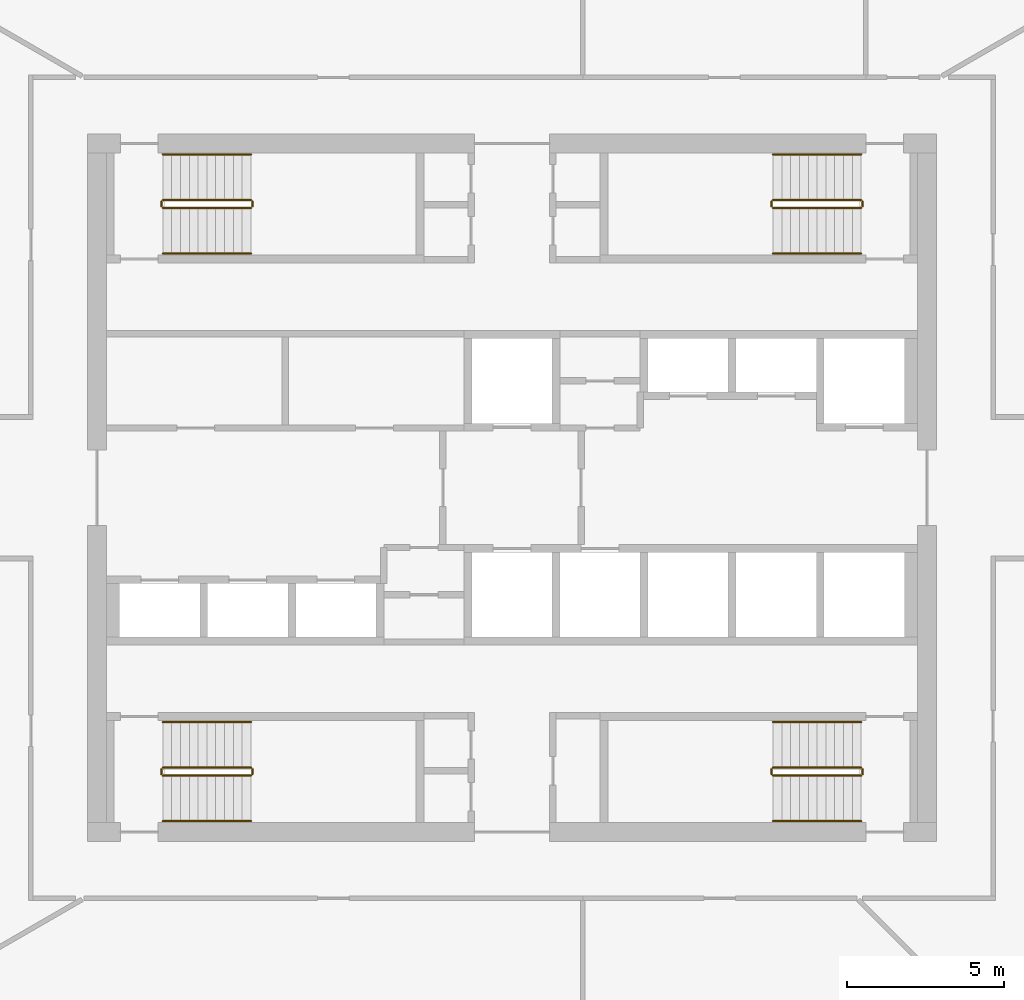
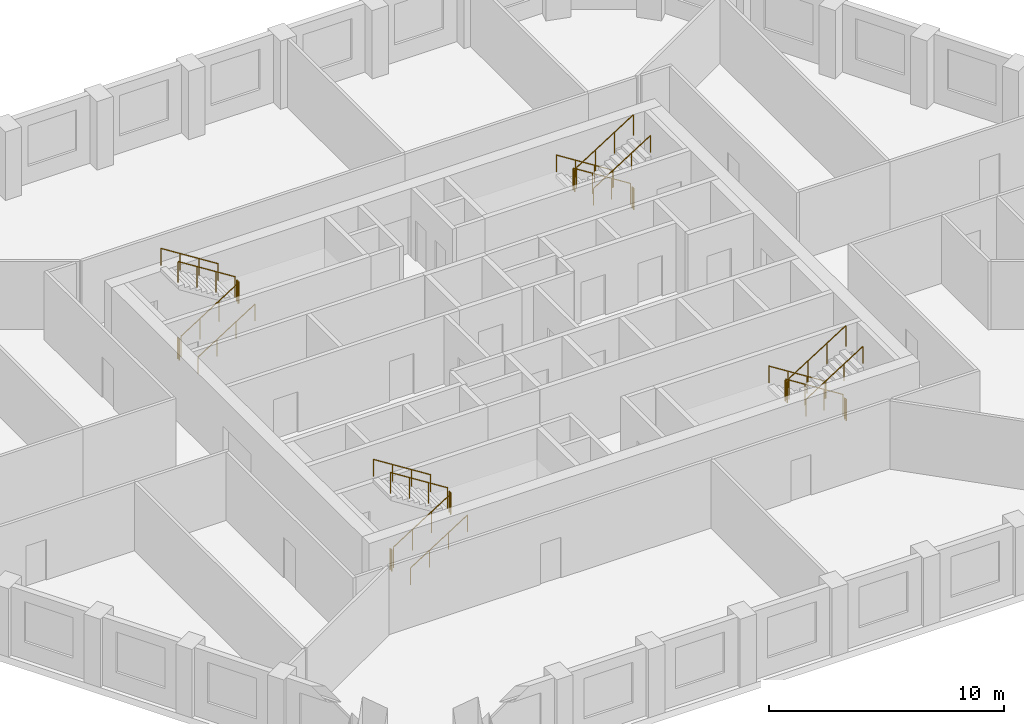
# One storey, part 8 of 8: 24 railings.
"""IFC4 building model written with IfcOpenShell, lengths in metres."""

import ifcopenshell
import ifcopenshell.guid

model = None  # the IFC model being written
_history = None  # IfcOwnerHistory: only IFC2X3 demands one
_inside = {}  # id of a spatial element -> (the spatial element, [elements in it])
_under = {}  # id of a project, library or spatial element -> (it, [spatial elements below it])
_declared = {}  # id of a project -> (the project, [libraries it declares])
_typed = {}  # id of a type object -> (the type object, [elements of that type])
_made_of = {}  # id of a material, layer set ... -> (it, [elements and type objects made of it])


def new_model(schema):
    """Start an empty IFC model of exactly this schema.

    Asked for "IFC4X3", IfcOpenShell would pick the latest addendum, in which some entities
    have other attributes; the version numbers below select the first issue.
    IFC2X3 requires an IfcOwnerHistory on every rooted entity: one is made here for all.
    """
    global model, _history
    if schema == "IFC4X3":
        model = ifcopenshell.file(schema_version=(4, 3, 0, 0))
    else:
        model = ifcopenshell.file(schema=schema)
    _inside.clear()
    _under.clear()
    _declared.clear()
    _typed.clear()
    _made_of.clear()
    _history = None
    if model.schema == "IFC2X3":
        org = make("IfcOrganization", Name="unknown")
        user = make(
            "IfcPersonAndOrganization",
            ThePerson=make("IfcPerson", FamilyName="unknown"),
            TheOrganization=org,
        )
        app = make(
            "IfcApplication",
            ApplicationDeveloper=org,
            Version="unknown",
            ApplicationFullName="unknown",
            ApplicationIdentifier="unknown",
        )
        _history = make(
            "IfcOwnerHistory",
            OwningUser=user,
            OwningApplication=app,
            ChangeAction="ADDED",
            CreationDate=0,
        )
    return model


def make(cls, **values):
    """One entity of the class cls with the attributes given. An attribute that is None is left unset."""
    return model.create_entity(
        cls, **{name: value for name, value in values.items() if value is not None}
    )


def rooted(cls, **values):
    """An entity with a GlobalId (a new one), such as an element, a storey or a relation."""
    return make(cls, GlobalId=ifcopenshell.guid.new(), OwnerHistory=_history, **values)


def si_unit(unit_type, name, prefix=None):
    """IfcSIUnit, for example si_unit("LENGTHUNIT", "METRE", prefix="MILLI")."""
    return make("IfcSIUnit", UnitType=unit_type, Prefix=prefix, Name=name)


def assignment(units):
    """IfcUnitAssignment: the units of a project."""
    return None if units is None else make("IfcUnitAssignment", Units=units)


def point(xyz):
    """IfcCartesianPoint."""
    return None if xyz is None else make("IfcCartesianPoint", Coordinates=xyz)


def direction(xyz):
    """IfcDirection."""
    return None if xyz is None else make("IfcDirection", DirectionRatios=xyz)


def frame(location, z_axis=None, x_axis=None):
    """IfcAxis2Placement3D, a coordinate frame: its origin and axes. An axis left out is left unset."""
    return make(
        "IfcAxis2Placement3D",
        Location=point(location),
        Axis=direction(z_axis),
        RefDirection=direction(x_axis),
    )


def frame_2d(location, x_axis=None):
    """IfcAxis2Placement2D, a coordinate frame in the plane: its origin and x axis."""
    return make(
        "IfcAxis2Placement2D", Location=point(location), RefDirection=direction(x_axis)
    )


def origin():
    """The frame at (0, 0, 0) with its axes left unset."""
    return frame((0.0, 0.0, 0.0))


def origin_2d():
    """The frame at (0, 0) in the plane with its x axis left unset."""
    return frame_2d((0.0, 0.0))


def place(relative_to, where):
    """IfcLocalPlacement: puts the frame where relative to a parent placement (None: the world)."""
    return make(
        "IfcLocalPlacement", PlacementRelTo=relative_to, RelativePlacement=where
    )


def context(
    kind, dimensions, precision=None, world=None, true_north=None, identifier=None
):
    """IfcGeometricRepresentationContext, for example the 3D "Model" context."""
    return make(
        "IfcGeometricRepresentationContext",
        ContextIdentifier=identifier,
        ContextType=kind,
        CoordinateSpaceDimension=dimensions,
        Precision=precision,
        WorldCoordinateSystem=world,
        TrueNorth=true_north,
    )


def subcontext(parent, identifier, kind, view, scale=None):
    """IfcGeometricRepresentationSubContext, for example "Body" below "Model"."""
    return make(
        "IfcGeometricRepresentationSubContext",
        ContextIdentifier=identifier,
        ContextType=kind,
        ParentContext=parent,
        TargetScale=scale,
        TargetView=view,
    )


def project(units=None, contexts=None):
    """IfcProject with its units and contexts."""
    return rooted(
        "IfcProject",
        Name="project",
        RepresentationContexts=contexts,
        UnitsInContext=assignment(units),
    )


def spatial(cls, under=None, at=None, **own):
    """A site, building, storey or space (cls), placed at a placement, below another one or the project."""
    s = rooted(cls, ObjectPlacement=at, **own)
    if under is not None:
        _under.setdefault(under.id(), (under, []))[1].append(s)
    return s


def profile(cls, at=None, kind="AREA", **sizes):
    """A parametric profile (cls). Its sizes go by their IFC names, for example OverallWidth=200.0."""
    return make(cls, ProfileType=kind, Position=at, **sizes)


def circle(**sizes):
    """IfcCircleProfileDef."""
    return profile("IfcCircleProfileDef", **sizes)


def extrude(swept, where, along, depth):
    """IfcExtrudedAreaSolid: the profile swept, set in the frame where, extruded along a direction by depth."""
    return make(
        "IfcExtrudedAreaSolid",
        SweptArea=swept,
        Position=where,
        ExtrudedDirection=direction(along),
        Depth=depth,
    )


def shape(context_of_items, identifier, shape_type, items):
    """IfcShapeRepresentation: the items that make up one representation, for example the "Body"."""
    return make(
        "IfcShapeRepresentation",
        ContextOfItems=context_of_items,
        RepresentationIdentifier=identifier,
        RepresentationType=shape_type,
        Items=items,
    )


def material(Name=None, Category=None):
    """IfcMaterial."""
    return make("IfcMaterial", Name=Name, Category=Category)


def made_of(thing, what):
    """Note that an element or type object is made of a material, layer set ...; save() writes the relation."""
    if what is not None:
        _made_of.setdefault(what.id(), (what, []))[1].append(thing)
    return thing


def type_object(cls, material=None, **own):
    """A type object (cls), such as IfcWallType, which elements share."""
    return made_of(rooted(cls, **own), material)


def element(
    cls,
    number,
    at=None,
    inside=None,
    cuts=None,
    type_object=None,
    material=None,
    context=None,
    identifier="Body",
    shape_type=None,
    held_by="IfcProductDefinitionShape",
    body=None,
    shapes=None,
    **own,
):
    """One element of the class cls, such as IfcWall. Its Tag is "e" and its number.

    at: its placement. inside: the storey or other place that contains it. cuts: it is an
    opening in that element (IfcRelVoidsElement). A single representation is given by context,
    identifier, shape_type and body (its items); several are given by shapes. held_by: the class
    of the entity that holds the representations. save() writes the other relations.
    """
    e = rooted(cls, Tag="e%d" % number, ObjectPlacement=at, **own)
    if body is not None:
        shapes = [shape(context, identifier, shape_type, body)]
    if shapes is not None:
        e.Representation = make(held_by, Representations=shapes)
    if inside is not None:
        _inside.setdefault(inside.id(), (inside, []))[1].append(e)
    if cuts is not None:
        rooted(
            "IfcRelVoidsElement", RelatingBuildingElement=cuts, RelatedOpeningElement=e
        )
    if type_object is not None:
        _typed.setdefault(type_object.id(), (type_object, []))[1].append(e)
    return made_of(e, material)


def aggregate(whole, parts):
    """IfcRelAggregates: a whole, such as a stair, and the parts it consists of."""
    return rooted("IfcRelAggregates", RelatingObject=whole, RelatedObjects=parts)


def save(model, path):
    """Write the relations noted so far, then the file.

    IfcRelAggregates (storeys below a building ...), IfcRelContainedInSpatialStructure (elements
    in a storey), IfcRelDefinesByType, IfcRelAssociatesMaterial and IfcRelDeclares: one each for
    every whole, place, type object, material and project.
    """
    for whole, parts in _under.values():
        aggregate(whole, parts)
    for where, things in _inside.values():
        rooted(
            "IfcRelContainedInSpatialStructure",
            RelatedElements=things,
            RelatingStructure=where,
        )
    for kind, things in _typed.values():
        rooted("IfcRelDefinesByType", RelatedObjects=things, RelatingType=kind)
    for what, things in _made_of.values():
        rooted("IfcRelAssociatesMaterial", RelatedObjects=things, RelatingMaterial=what)
    for by, libraries in _declared.values():
        rooted("IfcRelDeclares", RelatingContext=by, RelatedDefinitions=libraries)
    model.write(path)


model = new_model("IFC4")

# Units and contexts
model_context = context("Model", 3, precision=1e-05, world=origin(), true_north=direction((0.0, 1.0)))
body_context = subcontext(model_context, "Body", "Model", "MODEL_VIEW")
ifc_project = project(units=[si_unit("LENGTHUNIT", "METRE"), si_unit("AREAUNIT", "SQUARE_METRE"), si_unit("VOLUMEUNIT", "CUBIC_METRE"), si_unit("PLANEANGLEUNIT", "RADIAN"), si_unit("MASSUNIT", "GRAM", prefix="KILO")], contexts=[model_context])

# Site, building, storey
site_placement = place(None, origin())
site = spatial("IfcSite", under=ifc_project, at=site_placement, CompositionType="ELEMENT")
building_placement = place(site_placement, origin())
building = spatial("IfcBuilding", under=site, at=building_placement, Name="Dhurran Vertical Campus", CompositionType="ELEMENT")
storey_placement = place(building_placement, frame((0.0, 0.0, 219.0)))
storey = spatial("IfcBuildingStorey", under=building, at=storey_placement, Name="L54", CompositionType="ELEMENT", Elevation=219.0)

# Railings
ifc_material_1 = material(Name="Stainless steel balustrade", Category="steel")
railing_type_1 = type_object("IfcRailingType", Name="co-RL-GUARD-1100", PredefinedType="GUARDRAIL", material=ifc_material_1)
railing_1_placement = place(storey_placement, frame((-11.10009765625, 8.89990234375, 0.17724609375)))
element("IfcRailing", 1, at=railing_1_placement, inside=storey, type_object=railing_type_1, Name="L54 ST1 stair guard 1", PredefinedType="GUARDRAIL", context=body_context, shape_type="SweptSolid", body=[
    extrude(circle(Radius=0.02392578125, at=origin_2d()), frame((0.0, 0.0, 1.076171875), z_axis=(0.844908973607, 0.0, 0.534910110503), x_axis=(0.0, 1.0, 0.0)), (0.0, 0.0, 1.0), 3.31396484375),
    extrude(circle(Radius=0.02099609375, at=origin_2d()), origin(), (0.0, 0.0, 1.0), 1.052001953125),
    extrude(circle(Radius=0.02099609375, at=origin_2d()), frame((0.933349609375, 0.0, 0.5908203125)), (0.0, 0.0, 1.0), 1.052001953125),
    extrude(circle(Radius=0.02099609375, at=origin_2d()), frame((1.86669921875, 0.0, 1.181884765625)), (0.0, 0.0, 1.0), 1.052001953125),
    extrude(circle(Radius=0.02099609375, at=origin_2d()), frame((2.800048828125, 0.0, 1.772705078125)), (0.0, 0.0, 1.0), 1.052001953125),
])
railing_2_placement = place(storey_placement, frame((-8.25, 8.949951171875, 1.949951171875)))
element("IfcRailing", 2, at=railing_2_placement, inside=storey, type_object=railing_type_1, Name="L54 ST1 stair guard 2", PredefinedType="GUARDRAIL", context=body_context, shape_type="SweptSolid", body=[
    extrude(circle(Radius=0.02392578125, at=origin_2d()), frame((0.0, 0.0, 1.076171875), z_axis=(0.0, 1.0, 0.0), x_axis=(-1.0, 0.0, 0.0)), (0.0, 0.0, 1.0), 0.150146484375),
    extrude(circle(Radius=0.02099609375, at=origin_2d()), origin(), (0.0, 0.0, 1.0), 1.052001953125),
    extrude(circle(Radius=0.02099609375, at=origin_2d()), frame((0.0, 0.150146484375, 0.0)), (0.0, 0.0, 1.0), 1.052001953125),
])
railing_3_placement = place(storey_placement, frame((-8.300048828125, 9.14990234375, 2.127197265625)))
element("IfcRailing", 3, at=railing_3_placement, inside=storey, type_object=railing_type_1, Name="L54 ST1 stair guard 3", PredefinedType="GUARDRAIL", context=body_context, shape_type="SweptSolid", body=[
    extrude(circle(Radius=0.02392578125, at=origin_2d()), frame((0.0, 0.0, 1.076171875), z_axis=(-0.844908973607, 0.0, 0.534910110503), x_axis=(0.0, -1.0, 0.0)), (0.0, 0.0, 1.0), 3.31396484375),
    extrude(circle(Radius=0.02099609375, at=origin_2d()), origin(), (0.0, 0.0, 1.0), 1.052001953125),
    extrude(circle(Radius=0.02099609375, at=origin_2d()), frame((-0.933349609375, 0.0, 0.5908203125)), (0.0, 0.0, 1.0), 1.052001953125),
    extrude(circle(Radius=0.02099609375, at=origin_2d()), frame((-1.86669921875, 0.0, 1.181884765625)), (0.0, 0.0, 1.0), 1.052001953125),
    extrude(circle(Radius=0.02099609375, at=origin_2d()), frame((-2.800048828125, 0.0, 1.772705078125)), (0.0, 0.0, 1.0), 1.052001953125),
])
railing_4_placement = place(storey_placement, frame((-11.14990234375, 8.949951171875, 0.0)))
element("IfcRailing", 4, at=railing_4_placement, inside=storey, type_object=railing_type_1, Name="L54 ST1 stair guard 4", PredefinedType="GUARDRAIL", context=body_context, shape_type="SweptSolid", body=[
    extrude(circle(Radius=0.02392578125, at=origin_2d()), frame((0.0, 0.0, 1.076171875), z_axis=(0.0, 1.0, 0.0), x_axis=(-1.0, 0.0, 0.0)), (0.0, 0.0, 1.0), 0.150146484375),
    extrude(circle(Radius=0.02099609375, at=origin_2d()), origin(), (0.0, 0.0, 1.0), 1.052001953125),
    extrude(circle(Radius=0.02099609375, at=origin_2d()), frame((0.0, 0.150146484375, 0.0)), (0.0, 0.0, 1.0), 1.052001953125),
])
railing_5_placement = place(storey_placement, frame((11.10009765625, 9.14990234375, 0.17724609375)))
element("IfcRailing", 5, at=railing_5_placement, inside=storey, type_object=railing_type_1, Name="L54 ST2 stair guard 1", PredefinedType="GUARDRAIL", context=body_context, shape_type="SweptSolid", body=[
    extrude(circle(Radius=0.02392578125, at=origin_2d()), frame((0.0, 0.0, 1.076171875), z_axis=(-0.844908973607, 0.0, 0.534910110503), x_axis=(0.0, -1.0, 0.0)), (0.0, 0.0, 1.0), 3.31396484375),
    extrude(circle(Radius=0.02099609375, at=origin_2d()), origin(), (0.0, 0.0, 1.0), 1.052001953125),
    extrude(circle(Radius=0.02099609375, at=origin_2d()), frame((-0.933349609375, 0.0, 0.5908203125)), (0.0, 0.0, 1.0), 1.052001953125),
    extrude(circle(Radius=0.02099609375, at=origin_2d()), frame((-1.86669921875, 0.0, 1.181884765625)), (0.0, 0.0, 1.0), 1.052001953125),
    extrude(circle(Radius=0.02099609375, at=origin_2d()), frame((-2.800048828125, 0.0, 1.772705078125)), (0.0, 0.0, 1.0), 1.052001953125),
])
railing_6_placement = place(storey_placement, frame((8.25, 9.10009765625, 1.949951171875)))
element("IfcRailing", 6, at=railing_6_placement, inside=storey, type_object=railing_type_1, Name="L54 ST2 stair guard 2", PredefinedType="GUARDRAIL", context=body_context, shape_type="SweptSolid", body=[
    extrude(circle(Radius=0.02392578125, at=origin_2d()), frame((0.0, 0.0, 1.076171875), z_axis=(0.0, -1.0, 0.0), x_axis=(1.0, 0.0, 0.0)), (0.0, 0.0, 1.0), 0.150146484375),
    extrude(circle(Radius=0.02099609375, at=origin_2d()), origin(), (0.0, 0.0, 1.0), 1.052001953125),
    extrude(circle(Radius=0.02099609375, at=origin_2d()), frame((0.0, -0.150146484375, 0.0)), (0.0, 0.0, 1.0), 1.052001953125),
])
railing_7_placement = place(storey_placement, frame((8.300048828125, 8.89990234375, 2.127197265625)))
element("IfcRailing", 7, at=railing_7_placement, inside=storey, type_object=railing_type_1, Name="L54 ST2 stair guard 3", PredefinedType="GUARDRAIL", context=body_context, shape_type="SweptSolid", body=[
    extrude(circle(Radius=0.02392578125, at=origin_2d()), frame((0.0, 0.0, 1.076171875), z_axis=(0.844908973607, 0.0, 0.534910110503), x_axis=(0.0, 1.0, 0.0)), (0.0, 0.0, 1.0), 3.31396484375),
    extrude(circle(Radius=0.02099609375, at=origin_2d()), origin(), (0.0, 0.0, 1.0), 1.052001953125),
    extrude(circle(Radius=0.02099609375, at=origin_2d()), frame((0.933349609375, 0.0, 0.5908203125)), (0.0, 0.0, 1.0), 1.052001953125),
    extrude(circle(Radius=0.02099609375, at=origin_2d()), frame((1.86669921875, 0.0, 1.181884765625)), (0.0, 0.0, 1.0), 1.052001953125),
    extrude(circle(Radius=0.02099609375, at=origin_2d()), frame((2.800048828125, 0.0, 1.772705078125)), (0.0, 0.0, 1.0), 1.052001953125),
])
railing_8_placement = place(storey_placement, frame((11.14990234375, 9.10009765625, 0.0)))
element("IfcRailing", 8, at=railing_8_placement, inside=storey, type_object=railing_type_1, Name="L54 ST2 stair guard 4", PredefinedType="GUARDRAIL", context=body_context, shape_type="SweptSolid", body=[
    extrude(circle(Radius=0.02392578125, at=origin_2d()), frame((0.0, 0.0, 1.076171875), z_axis=(0.0, -1.0, 0.0), x_axis=(1.0, 0.0, 0.0)), (0.0, 0.0, 1.0), 0.150146484375),
    extrude(circle(Radius=0.02099609375, at=origin_2d()), origin(), (0.0, 0.0, 1.0), 1.052001953125),
    extrude(circle(Radius=0.02099609375, at=origin_2d()), frame((0.0, -0.150146484375, 0.0)), (0.0, 0.0, 1.0), 1.052001953125),
])
railing_9_placement = place(storey_placement, frame((-11.10009765625, -9.14990234375, 0.17724609375)))
element("IfcRailing", 9, at=railing_9_placement, inside=storey, type_object=railing_type_1, Name="L54 ST3 stair guard 1", PredefinedType="GUARDRAIL", context=body_context, shape_type="SweptSolid", body=[
    extrude(circle(Radius=0.02392578125, at=origin_2d()), frame((0.0, 0.0, 1.076171875), z_axis=(0.844908973607, 0.0, 0.534910110503), x_axis=(0.0, 1.0, 0.0)), (0.0, 0.0, 1.0), 3.31396484375),
    extrude(circle(Radius=0.02099609375, at=origin_2d()), origin(), (0.0, 0.0, 1.0), 1.052001953125),
    extrude(circle(Radius=0.02099609375, at=origin_2d()), frame((0.933349609375, 0.0, 0.5908203125)), (0.0, 0.0, 1.0), 1.052001953125),
    extrude(circle(Radius=0.02099609375, at=origin_2d()), frame((1.86669921875, 0.0, 1.181884765625)), (0.0, 0.0, 1.0), 1.052001953125),
    extrude(circle(Radius=0.02099609375, at=origin_2d()), frame((2.800048828125, 0.0, 1.772705078125)), (0.0, 0.0, 1.0), 1.052001953125),
])
railing_10_placement = place(storey_placement, frame((-8.25, -9.10009765625, 1.949951171875)))
element("IfcRailing", 10, at=railing_10_placement, inside=storey, type_object=railing_type_1, Name="L54 ST3 stair guard 2", PredefinedType="GUARDRAIL", context=body_context, shape_type="SweptSolid", body=[
    extrude(circle(Radius=0.02392578125, at=origin_2d()), frame((0.0, 0.0, 1.076171875), z_axis=(0.0, 1.0, 0.0), x_axis=(-1.0, 0.0, 0.0)), (0.0, 0.0, 1.0), 0.150146484375),
    extrude(circle(Radius=0.02099609375, at=origin_2d()), origin(), (0.0, 0.0, 1.0), 1.052001953125),
    extrude(circle(Radius=0.02099609375, at=origin_2d()), frame((0.0, 0.150146484375, 0.0)), (0.0, 0.0, 1.0), 1.052001953125),
])
railing_11_placement = place(storey_placement, frame((-8.300048828125, -8.89990234375, 2.127197265625)))
element("IfcRailing", 11, at=railing_11_placement, inside=storey, type_object=railing_type_1, Name="L54 ST3 stair guard 3", PredefinedType="GUARDRAIL", context=body_context, shape_type="SweptSolid", body=[
    extrude(circle(Radius=0.02392578125, at=origin_2d()), frame((0.0, 0.0, 1.076171875), z_axis=(-0.844908973607, 0.0, 0.534910110503), x_axis=(0.0, -1.0, 0.0)), (0.0, 0.0, 1.0), 3.31396484375),
    extrude(circle(Radius=0.02099609375, at=origin_2d()), origin(), (0.0, 0.0, 1.0), 1.052001953125),
    extrude(circle(Radius=0.02099609375, at=origin_2d()), frame((-0.933349609375, 0.0, 0.5908203125)), (0.0, 0.0, 1.0), 1.052001953125),
    extrude(circle(Radius=0.02099609375, at=origin_2d()), frame((-1.86669921875, 0.0, 1.181884765625)), (0.0, 0.0, 1.0), 1.052001953125),
    extrude(circle(Radius=0.02099609375, at=origin_2d()), frame((-2.800048828125, 0.0, 1.772705078125)), (0.0, 0.0, 1.0), 1.052001953125),
])
railing_12_placement = place(storey_placement, frame((-11.14990234375, -9.10009765625, 0.0)))
element("IfcRailing", 12, at=railing_12_placement, inside=storey, type_object=railing_type_1, Name="L54 ST3 stair guard 4", PredefinedType="GUARDRAIL", context=body_context, shape_type="SweptSolid", body=[
    extrude(circle(Radius=0.02392578125, at=origin_2d()), frame((0.0, 0.0, 1.076171875), z_axis=(0.0, 1.0, 0.0), x_axis=(-1.0, 0.0, 0.0)), (0.0, 0.0, 1.0), 0.150146484375),
    extrude(circle(Radius=0.02099609375, at=origin_2d()), origin(), (0.0, 0.0, 1.0), 1.052001953125),
    extrude(circle(Radius=0.02099609375, at=origin_2d()), frame((0.0, 0.150146484375, 0.0)), (0.0, 0.0, 1.0), 1.052001953125),
])
railing_13_placement = place(storey_placement, frame((11.10009765625, -8.89990234375, 0.17724609375)))
element("IfcRailing", 13, at=railing_13_placement, inside=storey, type_object=railing_type_1, Name="L54 ST4 stair guard 1", PredefinedType="GUARDRAIL", context=body_context, shape_type="SweptSolid", body=[
    extrude(circle(Radius=0.02392578125, at=origin_2d()), frame((0.0, 0.0, 1.076171875), z_axis=(-0.844908973607, 0.0, 0.534910110503), x_axis=(0.0, -1.0, 0.0)), (0.0, 0.0, 1.0), 3.31396484375),
    extrude(circle(Radius=0.02099609375, at=origin_2d()), origin(), (0.0, 0.0, 1.0), 1.052001953125),
    extrude(circle(Radius=0.02099609375, at=origin_2d()), frame((-0.933349609375, 0.0, 0.5908203125)), (0.0, 0.0, 1.0), 1.052001953125),
    extrude(circle(Radius=0.02099609375, at=origin_2d()), frame((-1.86669921875, 0.0, 1.181884765625)), (0.0, 0.0, 1.0), 1.052001953125),
    extrude(circle(Radius=0.02099609375, at=origin_2d()), frame((-2.800048828125, 0.0, 1.772705078125)), (0.0, 0.0, 1.0), 1.052001953125),
])
railing_14_placement = place(storey_placement, frame((8.25, -8.949951171875, 1.949951171875)))
element("IfcRailing", 14, at=railing_14_placement, inside=storey, type_object=railing_type_1, Name="L54 ST4 stair guard 2", PredefinedType="GUARDRAIL", context=body_context, shape_type="SweptSolid", body=[
    extrude(circle(Radius=0.02392578125, at=origin_2d()), frame((0.0, 0.0, 1.076171875), z_axis=(0.0, -1.0, 0.0), x_axis=(1.0, 0.0, 0.0)), (0.0, 0.0, 1.0), 0.150146484375),
    extrude(circle(Radius=0.02099609375, at=origin_2d()), origin(), (0.0, 0.0, 1.0), 1.052001953125),
    extrude(circle(Radius=0.02099609375, at=origin_2d()), frame((0.0, -0.150146484375, 0.0)), (0.0, 0.0, 1.0), 1.052001953125),
])
railing_15_placement = place(storey_placement, frame((8.300048828125, -9.14990234375, 2.127197265625)))
element("IfcRailing", 15, at=railing_15_placement, inside=storey, type_object=railing_type_1, Name="L54 ST4 stair guard 3", PredefinedType="GUARDRAIL", context=body_context, shape_type="SweptSolid", body=[
    extrude(circle(Radius=0.02392578125, at=origin_2d()), frame((0.0, 0.0, 1.076171875), z_axis=(0.844908973607, 0.0, 0.534910110503), x_axis=(0.0, 1.0, 0.0)), (0.0, 0.0, 1.0), 3.31396484375),
    extrude(circle(Radius=0.02099609375, at=origin_2d()), origin(), (0.0, 0.0, 1.0), 1.052001953125),
    extrude(circle(Radius=0.02099609375, at=origin_2d()), frame((0.933349609375, 0.0, 0.5908203125)), (0.0, 0.0, 1.0), 1.052001953125),
    extrude(circle(Radius=0.02099609375, at=origin_2d()), frame((1.86669921875, 0.0, 1.181884765625)), (0.0, 0.0, 1.0), 1.052001953125),
    extrude(circle(Radius=0.02099609375, at=origin_2d()), frame((2.800048828125, 0.0, 1.772705078125)), (0.0, 0.0, 1.0), 1.052001953125),
])
railing_16_placement = place(storey_placement, frame((11.14990234375, -8.949951171875, 0.0)))
element("IfcRailing", 16, at=railing_16_placement, inside=storey, type_object=railing_type_1, Name="L54 ST4 stair guard 4", PredefinedType="GUARDRAIL", context=body_context, shape_type="SweptSolid", body=[
    extrude(circle(Radius=0.02392578125, at=origin_2d()), frame((0.0, 0.0, 1.076171875), z_axis=(0.0, -1.0, 0.0), x_axis=(1.0, 0.0, 0.0)), (0.0, 0.0, 1.0), 0.150146484375),
    extrude(circle(Radius=0.02099609375, at=origin_2d()), origin(), (0.0, 0.0, 1.0), 1.052001953125),
    extrude(circle(Radius=0.02099609375, at=origin_2d()), frame((0.0, -0.150146484375, 0.0)), (0.0, 0.0, 1.0), 1.052001953125),
])
ifc_material_2 = material(Name="Stainless steel handrail", Category="steel")
railing_type_2 = type_object("IfcRailingType", Name="co-RL-HANDRAIL-900", PredefinedType="HANDRAIL", material=ifc_material_2)
railing_17_placement = place(storey_placement, frame((-11.10009765625, 7.449951171875, 0.17724609375)))
element("IfcRailing", 17, at=railing_17_placement, inside=storey, type_object=railing_type_2, Name="L54 ST1 stair handrail 1", PredefinedType="HANDRAIL", context=body_context, shape_type="SweptSolid", body=[
    extrude(circle(Radius=0.02392578125, at=origin_2d()), frame((0.0, 0.0, 0.8759765625), z_axis=(0.844908973607, 0.0, 0.534910110503), x_axis=(0.0, 1.0, 0.0)), (0.0, 0.0, 1.0), 3.31396484375),
    extrude(circle(Radius=0.02099609375, at=origin_2d()), origin(), (0.0, 0.0, 1.0), 0.851806640625),
    extrude(circle(Radius=0.02099609375, at=origin_2d()), frame((0.933349609375, 0.0, 0.5908203125)), (0.0, 0.0, 1.0), 0.851806640625),
    extrude(circle(Radius=0.02099609375, at=origin_2d()), frame((1.86669921875, 0.0, 1.181884765625)), (0.0, 0.0, 1.0), 0.851806640625),
    extrude(circle(Radius=0.02099609375, at=origin_2d()), frame((2.800048828125, 0.0, 1.772705078125)), (0.0, 0.0, 1.0), 0.851806640625),
])
for number, where, name in (
    (18, (-8.300048828125, 10.60009765625, 2.127197265625), "L54 ST1 stair handrail 2"),
    (19, (11.10009765625, 10.60009765625, 0.17724609375), "L54 ST2 stair handrail 1"),
):
    element("IfcRailing", number, at=place(storey_placement, frame(where)), inside=storey, type_object=railing_type_2, Name=name, PredefinedType="HANDRAIL", context=body_context, shape_type="SweptSolid", body=[
        extrude(circle(Radius=0.02392578125, at=origin_2d()), frame((0.0, 0.0, 0.8759765625), z_axis=(-0.844908973607, 0.0, 0.534910110503), x_axis=(0.0, -1.0, 0.0)), (0.0, 0.0, 1.0), 3.31396484375),
        extrude(circle(Radius=0.02099609375, at=origin_2d()), origin(), (0.0, 0.0, 1.0), 0.851806640625),
        extrude(circle(Radius=0.02099609375, at=origin_2d()), frame((-0.933349609375, 0.0, 0.5908203125)), (0.0, 0.0, 1.0), 0.851806640625),
        extrude(circle(Radius=0.02099609375, at=origin_2d()), frame((-1.86669921875, 0.0, 1.181884765625)), (0.0, 0.0, 1.0), 0.851806640625),
        extrude(circle(Radius=0.02099609375, at=origin_2d()), frame((-2.800048828125, 0.0, 1.772705078125)), (0.0, 0.0, 1.0), 0.851806640625),
    ])
for number, where, name in (
    (20, (8.300048828125, 7.449951171875, 2.127197265625), "L54 ST2 stair handrail 2"),
    (21, (-11.10009765625, -10.60009765625, 0.17724609375), "L54 ST3 stair handrail 1"),
):
    element("IfcRailing", number, at=place(storey_placement, frame(where)), inside=storey, type_object=railing_type_2, Name=name, PredefinedType="HANDRAIL", context=body_context, shape_type="SweptSolid", body=[
        extrude(circle(Radius=0.02392578125, at=origin_2d()), frame((0.0, 0.0, 0.8759765625), z_axis=(0.844908973607, 0.0, 0.534910110503), x_axis=(0.0, 1.0, 0.0)), (0.0, 0.0, 1.0), 3.31396484375),
        extrude(circle(Radius=0.02099609375, at=origin_2d()), origin(), (0.0, 0.0, 1.0), 0.851806640625),
        extrude(circle(Radius=0.02099609375, at=origin_2d()), frame((0.933349609375, 0.0, 0.5908203125)), (0.0, 0.0, 1.0), 0.851806640625),
        extrude(circle(Radius=0.02099609375, at=origin_2d()), frame((1.86669921875, 0.0, 1.181884765625)), (0.0, 0.0, 1.0), 0.851806640625),
        extrude(circle(Radius=0.02099609375, at=origin_2d()), frame((2.800048828125, 0.0, 1.772705078125)), (0.0, 0.0, 1.0), 0.851806640625),
    ])
for number, where, name in (
    (22, (-8.300048828125, -7.449951171875, 2.127197265625), "L54 ST3 stair handrail 2"),
    (23, (11.10009765625, -7.449951171875, 0.17724609375), "L54 ST4 stair handrail 1"),
):
    element("IfcRailing", number, at=place(storey_placement, frame(where)), inside=storey, type_object=railing_type_2, Name=name, PredefinedType="HANDRAIL", context=body_context, shape_type="SweptSolid", body=[
        extrude(circle(Radius=0.02392578125, at=origin_2d()), frame((0.0, 0.0, 0.8759765625), z_axis=(-0.844908973607, 0.0, 0.534910110503), x_axis=(0.0, -1.0, 0.0)), (0.0, 0.0, 1.0), 3.31396484375),
        extrude(circle(Radius=0.02099609375, at=origin_2d()), origin(), (0.0, 0.0, 1.0), 0.851806640625),
        extrude(circle(Radius=0.02099609375, at=origin_2d()), frame((-0.933349609375, 0.0, 0.5908203125)), (0.0, 0.0, 1.0), 0.851806640625),
        extrude(circle(Radius=0.02099609375, at=origin_2d()), frame((-1.86669921875, 0.0, 1.181884765625)), (0.0, 0.0, 1.0), 0.851806640625),
        extrude(circle(Radius=0.02099609375, at=origin_2d()), frame((-2.800048828125, 0.0, 1.772705078125)), (0.0, 0.0, 1.0), 0.851806640625),
    ])
railing_18_placement = place(storey_placement, frame((8.300048828125, -10.60009765625, 2.127197265625)))
element("IfcRailing", 24, at=railing_18_placement, inside=storey, type_object=railing_type_2, Name="L54 ST4 stair handrail 2", PredefinedType="HANDRAIL", context=body_context, shape_type="SweptSolid", body=[
    extrude(circle(Radius=0.02392578125, at=origin_2d()), frame((0.0, 0.0, 0.8759765625), z_axis=(0.844908973607, 0.0, 0.534910110503), x_axis=(0.0, 1.0, 0.0)), (0.0, 0.0, 1.0), 3.31396484375),
    extrude(circle(Radius=0.02099609375, at=origin_2d()), origin(), (0.0, 0.0, 1.0), 0.851806640625),
    extrude(circle(Radius=0.02099609375, at=origin_2d()), frame((0.933349609375, 0.0, 0.5908203125)), (0.0, 0.0, 1.0), 0.851806640625),
    extrude(circle(Radius=0.02099609375, at=origin_2d()), frame((1.86669921875, 0.0, 1.181884765625)), (0.0, 0.0, 1.0), 0.851806640625),
    extrude(circle(Radius=0.02099609375, at=origin_2d()), frame((2.800048828125, 0.0, 1.772705078125)), (0.0, 0.0, 1.0), 0.851806640625),
])

save(model, "model.ifc")
